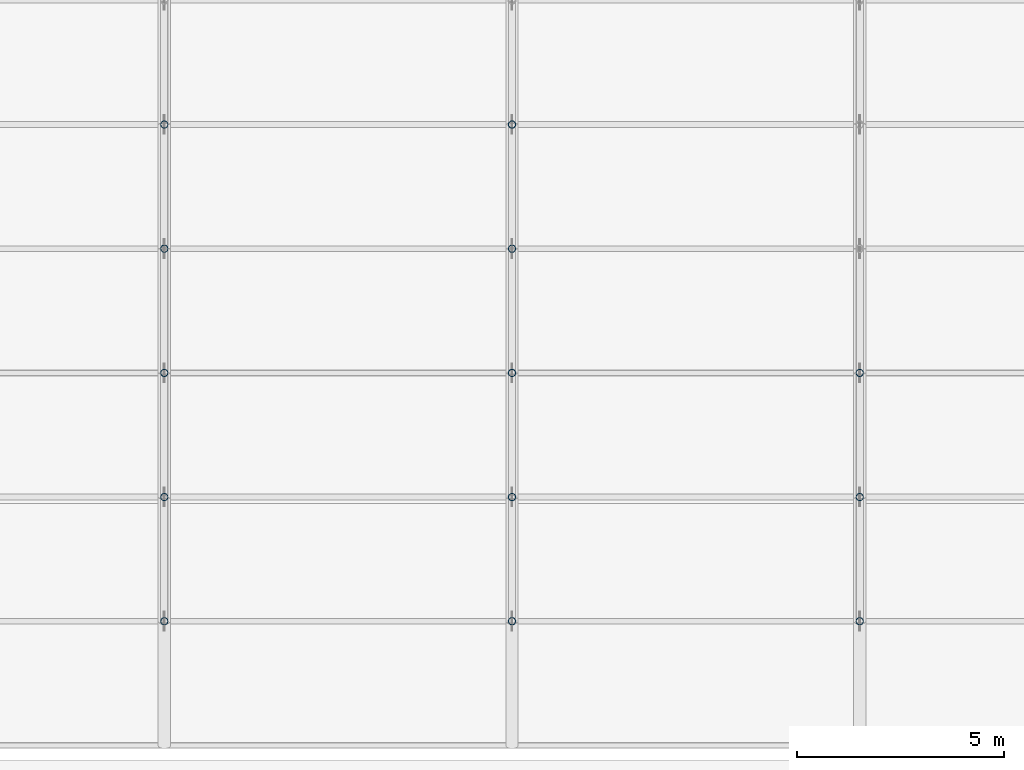
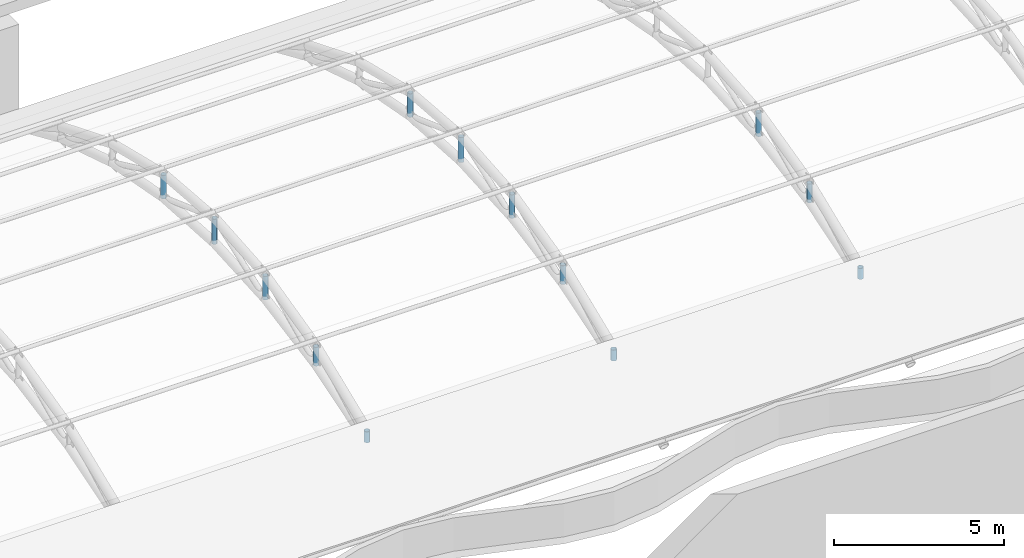
# One storey, part 88 of 163: 13 members.
"""IFC4 building model written with IfcOpenShell, lengths in metres."""

import ifcopenshell
import ifcopenshell.guid

model = None  # the IFC model being written
_history = None  # IfcOwnerHistory: only IFC2X3 demands one
_inside = {}  # id of a spatial element -> (the spatial element, [elements in it])
_under = {}  # id of a project, library or spatial element -> (it, [spatial elements below it])
_declared = {}  # id of a project -> (the project, [libraries it declares])
_typed = {}  # id of a type object -> (the type object, [elements of that type])
_made_of = {}  # id of a material, layer set ... -> (it, [elements and type objects made of it])


def new_model(schema):
    """Start an empty IFC model of exactly this schema.

    Asked for "IFC4X3", IfcOpenShell would pick the latest addendum, in which some entities
    have other attributes; the version numbers below select the first issue.
    IFC2X3 requires an IfcOwnerHistory on every rooted entity: one is made here for all.
    """
    global model, _history
    if schema == "IFC4X3":
        model = ifcopenshell.file(schema_version=(4, 3, 0, 0))
    else:
        model = ifcopenshell.file(schema=schema)
    _inside.clear()
    _under.clear()
    _declared.clear()
    _typed.clear()
    _made_of.clear()
    _history = None
    if model.schema == "IFC2X3":
        org = make("IfcOrganization", Name="unknown")
        user = make(
            "IfcPersonAndOrganization",
            ThePerson=make("IfcPerson", FamilyName="unknown"),
            TheOrganization=org,
        )
        app = make(
            "IfcApplication",
            ApplicationDeveloper=org,
            Version="unknown",
            ApplicationFullName="unknown",
            ApplicationIdentifier="unknown",
        )
        _history = make(
            "IfcOwnerHistory",
            OwningUser=user,
            OwningApplication=app,
            ChangeAction="ADDED",
            CreationDate=0,
        )
    return model


def make(cls, **values):
    """One entity of the class cls with the attributes given. An attribute that is None is left unset."""
    return model.create_entity(
        cls, **{name: value for name, value in values.items() if value is not None}
    )


def rooted(cls, **values):
    """An entity with a GlobalId (a new one), such as an element, a storey or a relation."""
    return make(cls, GlobalId=ifcopenshell.guid.new(), OwnerHistory=_history, **values)


def si_unit(unit_type, name, prefix=None):
    """IfcSIUnit, for example si_unit("LENGTHUNIT", "METRE", prefix="MILLI")."""
    return make("IfcSIUnit", UnitType=unit_type, Prefix=prefix, Name=name)


def assignment(units):
    """IfcUnitAssignment: the units of a project."""
    return None if units is None else make("IfcUnitAssignment", Units=units)


def point(xyz):
    """IfcCartesianPoint."""
    return None if xyz is None else make("IfcCartesianPoint", Coordinates=xyz)


def direction(xyz):
    """IfcDirection."""
    return None if xyz is None else make("IfcDirection", DirectionRatios=xyz)


def frame(location, z_axis=None, x_axis=None):
    """IfcAxis2Placement3D, a coordinate frame: its origin and axes. An axis left out is left unset."""
    return make(
        "IfcAxis2Placement3D",
        Location=point(location),
        Axis=direction(z_axis),
        RefDirection=direction(x_axis),
    )


def frame_2d(location, x_axis=None):
    """IfcAxis2Placement2D, a coordinate frame in the plane: its origin and x axis."""
    return make(
        "IfcAxis2Placement2D", Location=point(location), RefDirection=direction(x_axis)
    )


def origin():
    """The frame at (0, 0, 0) with its axes left unset."""
    return frame((0.0, 0.0, 0.0))


def origin_2d():
    """The frame at (0, 0) in the plane with its x axis left unset."""
    return frame_2d((0.0, 0.0))


def place(relative_to, where):
    """IfcLocalPlacement: puts the frame where relative to a parent placement (None: the world)."""
    return make(
        "IfcLocalPlacement", PlacementRelTo=relative_to, RelativePlacement=where
    )


def context(
    kind, dimensions, precision=None, world=None, true_north=None, identifier=None
):
    """IfcGeometricRepresentationContext, for example the 3D "Model" context."""
    return make(
        "IfcGeometricRepresentationContext",
        ContextIdentifier=identifier,
        ContextType=kind,
        CoordinateSpaceDimension=dimensions,
        Precision=precision,
        WorldCoordinateSystem=world,
        TrueNorth=true_north,
    )


def subcontext(parent, identifier, kind, view, scale=None):
    """IfcGeometricRepresentationSubContext, for example "Body" below "Model"."""
    return make(
        "IfcGeometricRepresentationSubContext",
        ContextIdentifier=identifier,
        ContextType=kind,
        ParentContext=parent,
        TargetScale=scale,
        TargetView=view,
    )


def project(units=None, contexts=None):
    """IfcProject with its units and contexts."""
    return rooted(
        "IfcProject",
        Name="project",
        RepresentationContexts=contexts,
        UnitsInContext=assignment(units),
    )


def spatial(cls, under=None, at=None, **own):
    """A site, building, storey or space (cls), placed at a placement, below another one or the project."""
    s = rooted(cls, ObjectPlacement=at, **own)
    if under is not None:
        _under.setdefault(under.id(), (under, []))[1].append(s)
    return s


def profile(cls, at=None, kind="AREA", **sizes):
    """A parametric profile (cls). Its sizes go by their IFC names, for example OverallWidth=200.0."""
    return make(cls, ProfileType=kind, Position=at, **sizes)


def hollow_circle(**sizes):
    """IfcCircleHollowProfileDef."""
    return profile("IfcCircleHollowProfileDef", **sizes)


def extrude(swept, where, along, depth):
    """IfcExtrudedAreaSolid: the profile swept, set in the frame where, extruded along a direction by depth."""
    return make(
        "IfcExtrudedAreaSolid",
        SweptArea=swept,
        Position=where,
        ExtrudedDirection=direction(along),
        Depth=depth,
    )


def shape(context_of_items, identifier, shape_type, items):
    """IfcShapeRepresentation: the items that make up one representation, for example the "Body"."""
    return make(
        "IfcShapeRepresentation",
        ContextOfItems=context_of_items,
        RepresentationIdentifier=identifier,
        RepresentationType=shape_type,
        Items=items,
    )


def material(Name=None, Category=None):
    """IfcMaterial."""
    return make("IfcMaterial", Name=Name, Category=Category)


def material_profile(
    of_material, cross_section, Name=None, Category=None, Priority=None
):
    """IfcMaterialProfile: a cross section and its material."""
    return make(
        "IfcMaterialProfile",
        Name=Name,
        Material=of_material,
        Profile=cross_section,
        Priority=Priority,
        Category=Category,
    )


def profile_set(profiles, Name=None, composite=None):
    """IfcMaterialProfileSet."""
    return make(
        "IfcMaterialProfileSet",
        Name=Name,
        MaterialProfiles=profiles,
        CompositeProfile=composite,
    )


def made_of(thing, what):
    """Note that an element or type object is made of a material, layer set ...; save() writes the relation."""
    if what is not None:
        _made_of.setdefault(what.id(), (what, []))[1].append(thing)
    return thing


def type_object(cls, material=None, **own):
    """A type object (cls), such as IfcWallType, which elements share."""
    return made_of(rooted(cls, **own), material)


def element(
    cls,
    number,
    at=None,
    inside=None,
    cuts=None,
    type_object=None,
    material=None,
    context=None,
    identifier="Body",
    shape_type=None,
    held_by="IfcProductDefinitionShape",
    body=None,
    shapes=None,
    **own,
):
    """One element of the class cls, such as IfcWall. Its Tag is "e" and its number.

    at: its placement. inside: the storey or other place that contains it. cuts: it is an
    opening in that element (IfcRelVoidsElement). A single representation is given by context,
    identifier, shape_type and body (its items); several are given by shapes. held_by: the class
    of the entity that holds the representations. save() writes the other relations.
    """
    e = rooted(cls, Tag="e%d" % number, ObjectPlacement=at, **own)
    if body is not None:
        shapes = [shape(context, identifier, shape_type, body)]
    if shapes is not None:
        e.Representation = make(held_by, Representations=shapes)
    if inside is not None:
        _inside.setdefault(inside.id(), (inside, []))[1].append(e)
    if cuts is not None:
        rooted(
            "IfcRelVoidsElement", RelatingBuildingElement=cuts, RelatedOpeningElement=e
        )
    if type_object is not None:
        _typed.setdefault(type_object.id(), (type_object, []))[1].append(e)
    return made_of(e, material)


def aggregate(whole, parts):
    """IfcRelAggregates: a whole, such as a stair, and the parts it consists of."""
    return rooted("IfcRelAggregates", RelatingObject=whole, RelatedObjects=parts)


def save(model, path):
    """Write the relations noted so far, then the file.

    IfcRelAggregates (storeys below a building ...), IfcRelContainedInSpatialStructure (elements
    in a storey), IfcRelDefinesByType, IfcRelAssociatesMaterial and IfcRelDeclares: one each for
    every whole, place, type object, material and project.
    """
    for whole, parts in _under.values():
        aggregate(whole, parts)
    for where, things in _inside.values():
        rooted(
            "IfcRelContainedInSpatialStructure",
            RelatedElements=things,
            RelatingStructure=where,
        )
    for kind, things in _typed.values():
        rooted("IfcRelDefinesByType", RelatedObjects=things, RelatingType=kind)
    for what, things in _made_of.values():
        rooted("IfcRelAssociatesMaterial", RelatedObjects=things, RelatingMaterial=what)
    for by, libraries in _declared.values():
        rooted("IfcRelDeclares", RelatingContext=by, RelatedDefinitions=libraries)
    model.write(path)


model = new_model("IFC4")

# Units and contexts
model_context = context("Model", 3, precision=1e-05, world=origin(), true_north=direction((0.0, 1.0)))
body_context = subcontext(model_context, "Body", "Model", "MODEL_VIEW")
ifc_project = project(units=[si_unit("LENGTHUNIT", "METRE"), si_unit("AREAUNIT", "SQUARE_METRE"), si_unit("VOLUMEUNIT", "CUBIC_METRE"), si_unit("PLANEANGLEUNIT", "RADIAN"), si_unit("MASSUNIT", "GRAM", prefix="KILO")], contexts=[model_context])

# Site, building, storey
site_placement = place(None, origin())
site = spatial("IfcSite", under=ifc_project, at=site_placement, CompositionType="ELEMENT")
building_placement = place(site_placement, origin())
building = spatial("IfcBuilding", under=site, at=building_placement, Name="Rain Tree Exposition and Congress Centre", CompositionType="ELEMENT")
storey_placement = place(building_placement, frame((0.0, 0.0, 10.5)))
storey = spatial("IfcBuildingStorey", under=building, at=storey_placement, Name="L02", CompositionType="ELEMENT", Elevation=10.5)

# Members
ifc_material = material(Name="Steel S355J2H", Category="steel")
ifc_material_profile = material_profile(ifc_material, hollow_circle(Radius=0.090087890625, WallThickness=0.008056640625, at=origin_2d()), Name="CHS 180x8")
ifc_profile_set = profile_set([ifc_material_profile], Name="Steel S355J2H")
member_type = type_object("IfcMemberType", Name="Steel post member CHS 180x8", PredefinedType="POST", material=ifc_profile_set)
member_1_placement = place(storey_placement, frame((193.199951171875, 78.60009765625, 1.4423828125), z_axis=(0.0, 0.0, 1.0), x_axis=(1.0, 0.0, 0.0)))
element("IfcMember", 1, at=member_1_placement, inside=storey, type_object=member_type, Name="Roof truss 24 post 1", PredefinedType="POST", context=body_context, shape_type="SweptSolid", body=[
    extrude(hollow_circle(Radius=0.090087890625, WallThickness=0.008056640625, at=origin_2d()), origin(), (0.0, 0.0, 1.0), 0.393798828125),
])
member_2_placement = place(storey_placement, frame((193.199951171875, 81.60009765625, 2.3798828125), z_axis=(0.0, 0.0, 1.0), x_axis=(1.0, 0.0, 0.0)))
element("IfcMember", 2, at=member_2_placement, inside=storey, type_object=member_type, Name="Roof truss 24 post 2", PredefinedType="POST", context=body_context, shape_type="SweptSolid", body=[
    extrude(hollow_circle(Radius=0.090087890625, WallThickness=0.008056640625, at=origin_2d()), origin(), (0.0, 0.0, 1.0), 0.675048828125),
])
member_3_placement = place(storey_placement, frame((193.199951171875, 84.60009765625, 2.9423828125), z_axis=(0.0, 0.0, 1.0), x_axis=(1.0, 0.0, 0.0)))
element("IfcMember", 3, at=member_3_placement, inside=storey, type_object=member_type, Name="Roof truss 24 post 3", PredefinedType="POST", context=body_context, shape_type="SweptSolid", body=[
    extrude(hollow_circle(Radius=0.090087890625, WallThickness=0.008056640625, at=origin_2d()), origin(), (0.0, 0.0, 1.0), 0.843994140625),
])
member_4_placement = place(storey_placement, frame((193.199951171875, 87.60009765625, 3.1298828125), z_axis=(0.0, 0.0, 1.0), x_axis=(1.0, 0.0, 0.0)))
element("IfcMember", 4, at=member_4_placement, inside=storey, type_object=member_type, Name="Roof truss 24 post 4", PredefinedType="POST", context=body_context, shape_type="SweptSolid", body=[
    extrude(hollow_circle(Radius=0.090087890625, WallThickness=0.008056640625, at=origin_2d()), origin(), (0.0, 0.0, 1.0), 0.900146484375),
])
member_5_placement = place(storey_placement, frame((193.199951171875, 90.60009765625, 2.9423828125), z_axis=(0.0, 0.0, 1.0), x_axis=(1.0, 0.0, 0.0)))
element("IfcMember", 5, at=member_5_placement, inside=storey, type_object=member_type, Name="Roof truss 24 post 5", PredefinedType="POST", context=body_context, shape_type="SweptSolid", body=[
    extrude(hollow_circle(Radius=0.090087890625, WallThickness=0.008056640625, at=origin_2d()), origin(), (0.0, 0.0, 1.0), 0.843994140625),
])
member_6_placement = place(storey_placement, frame((201.60009765625, 78.60009765625, 1.4423828125), z_axis=(0.0, 0.0, 1.0), x_axis=(1.0, 0.0, 0.0)))
element("IfcMember", 6, at=member_6_placement, inside=storey, type_object=member_type, Name="Roof truss 25 post 1", PredefinedType="POST", context=body_context, shape_type="SweptSolid", body=[
    extrude(hollow_circle(Radius=0.090087890625, WallThickness=0.008056640625, at=origin_2d()), origin(), (0.0, 0.0, 1.0), 0.393798828125),
])
member_7_placement = place(storey_placement, frame((201.60009765625, 81.60009765625, 2.3798828125), z_axis=(0.0, 0.0, 1.0), x_axis=(1.0, 0.0, 0.0)))
element("IfcMember", 7, at=member_7_placement, inside=storey, type_object=member_type, Name="Roof truss 25 post 2", PredefinedType="POST", context=body_context, shape_type="SweptSolid", body=[
    extrude(hollow_circle(Radius=0.090087890625, WallThickness=0.008056640625, at=origin_2d()), origin(), (0.0, 0.0, 1.0), 0.675048828125),
])
member_8_placement = place(storey_placement, frame((201.60009765625, 84.60009765625, 2.9423828125), z_axis=(0.0, 0.0, 1.0), x_axis=(1.0, 0.0, 0.0)))
element("IfcMember", 8, at=member_8_placement, inside=storey, type_object=member_type, Name="Roof truss 25 post 3", PredefinedType="POST", context=body_context, shape_type="SweptSolid", body=[
    extrude(hollow_circle(Radius=0.090087890625, WallThickness=0.008056640625, at=origin_2d()), origin(), (0.0, 0.0, 1.0), 0.843994140625),
])
member_9_placement = place(storey_placement, frame((201.60009765625, 87.60009765625, 3.1298828125), z_axis=(0.0, 0.0, 1.0), x_axis=(1.0, 0.0, 0.0)))
element("IfcMember", 9, at=member_9_placement, inside=storey, type_object=member_type, Name="Roof truss 25 post 4", PredefinedType="POST", context=body_context, shape_type="SweptSolid", body=[
    extrude(hollow_circle(Radius=0.090087890625, WallThickness=0.008056640625, at=origin_2d()), origin(), (0.0, 0.0, 1.0), 0.900146484375),
])
member_10_placement = place(storey_placement, frame((201.60009765625, 90.60009765625, 2.9423828125), z_axis=(0.0, 0.0, 1.0), x_axis=(1.0, 0.0, 0.0)))
element("IfcMember", 10, at=member_10_placement, inside=storey, type_object=member_type, Name="Roof truss 25 post 5", PredefinedType="POST", context=body_context, shape_type="SweptSolid", body=[
    extrude(hollow_circle(Radius=0.090087890625, WallThickness=0.008056640625, at=origin_2d()), origin(), (0.0, 0.0, 1.0), 0.843994140625),
])
member_11_placement = place(storey_placement, frame((210.0, 78.60009765625, 1.4423828125), z_axis=(0.0, 0.0, 1.0), x_axis=(1.0, 0.0, 0.0)))
element("IfcMember", 11, at=member_11_placement, inside=storey, type_object=member_type, Name="Roof truss 26 post 1", PredefinedType="POST", context=body_context, shape_type="SweptSolid", body=[
    extrude(hollow_circle(Radius=0.090087890625, WallThickness=0.008056640625, at=origin_2d()), origin(), (0.0, 0.0, 1.0), 0.393798828125),
])
member_12_placement = place(storey_placement, frame((210.0, 81.60009765625, 2.3798828125), z_axis=(0.0, 0.0, 1.0), x_axis=(1.0, 0.0, 0.0)))
element("IfcMember", 12, at=member_12_placement, inside=storey, type_object=member_type, Name="Roof truss 26 post 2", PredefinedType="POST", context=body_context, shape_type="SweptSolid", body=[
    extrude(hollow_circle(Radius=0.090087890625, WallThickness=0.008056640625, at=origin_2d()), origin(), (0.0, 0.0, 1.0), 0.675048828125),
])
member_13_placement = place(storey_placement, frame((210.0, 84.60009765625, 2.9423828125), z_axis=(0.0, 0.0, 1.0), x_axis=(1.0, 0.0, 0.0)))
element("IfcMember", 13, at=member_13_placement, inside=storey, type_object=member_type, Name="Roof truss 26 post 3", PredefinedType="POST", context=body_context, shape_type="SweptSolid", body=[
    extrude(hollow_circle(Radius=0.090087890625, WallThickness=0.008056640625, at=origin_2d()), origin(), (0.0, 0.0, 1.0), 0.843994140625),
])

save(model, "model.ifc")
